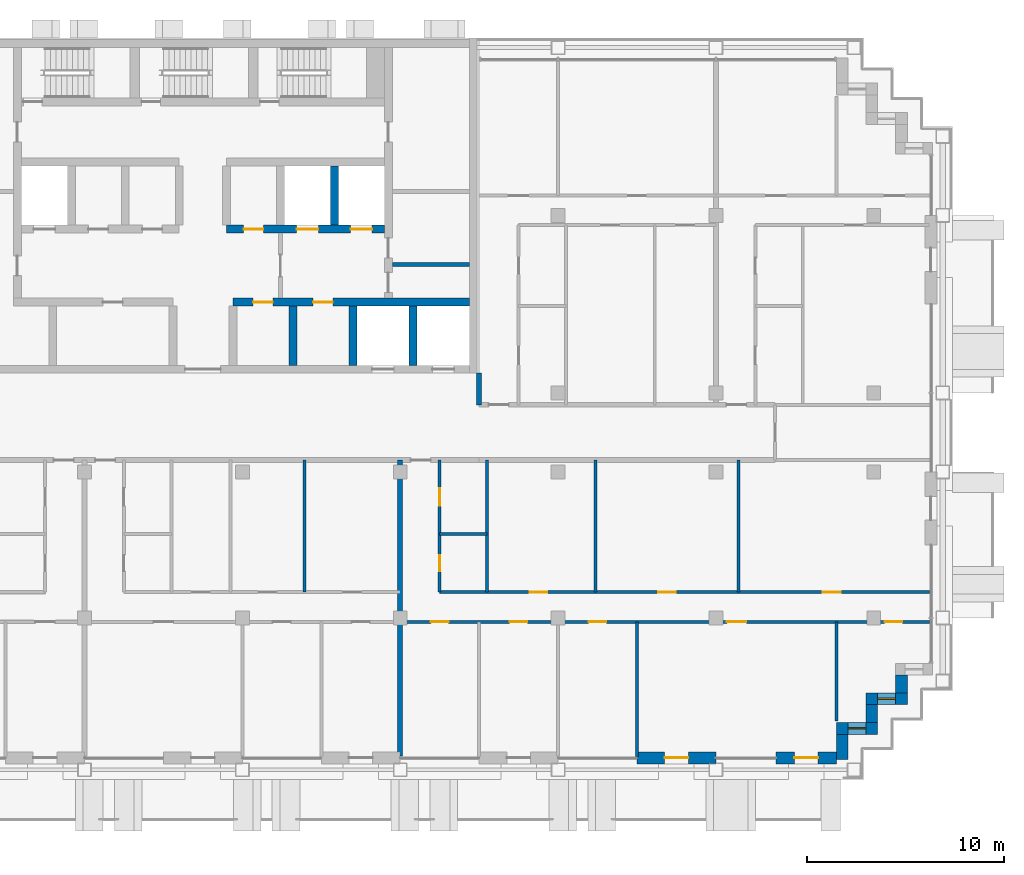
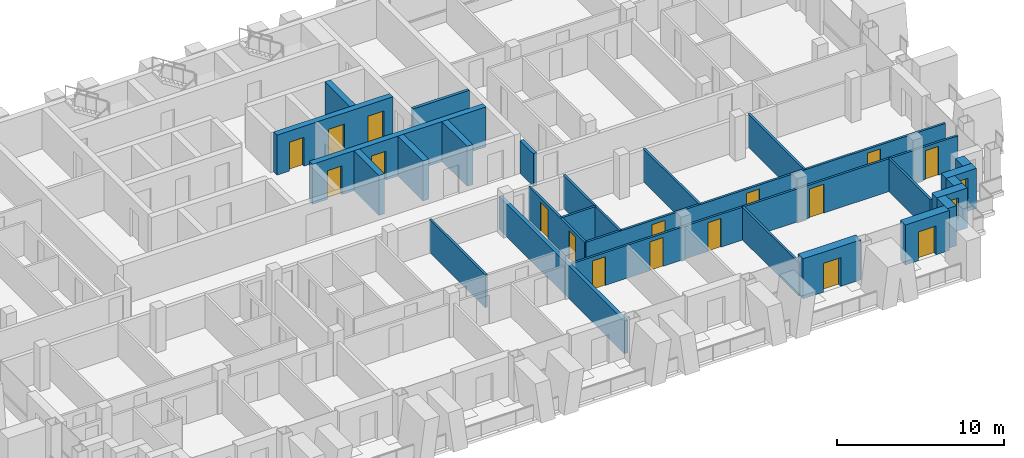
# One storey, part 10 of 16: 26 walls, 17 doors, 2 windows, 19 openings.
"""IFC4 building model written with IfcOpenShell, lengths in metres."""

from ifc_helpers import new_model, si_unit, direction, frame, frame_2d, origin, place, context, subcontext, project, spatial, rectangle, extrude, material, layer, layer_set, type_object, element, fill, save


model = new_model("IFC4")

# Units and contexts
model_context = context("Model", 3, precision=1e-05, world=origin(), true_north=direction((0.0, 1.0)))
body_context = subcontext(model_context, "Body", "Model", "MODEL_VIEW")
ifc_project = project(units=[si_unit("LENGTHUNIT", "METRE"), si_unit("AREAUNIT", "SQUARE_METRE"), si_unit("VOLUMEUNIT", "CUBIC_METRE"), si_unit("PLANEANGLEUNIT", "RADIAN"), si_unit("MASSUNIT", "GRAM", prefix="KILO")], contexts=[model_context])

# Site, building, storey
site_placement = place(None, origin())
site = spatial("IfcSite", under=ifc_project, at=site_placement, CompositionType="ELEMENT")
building_placement = place(site_placement, origin())
building = spatial("IfcBuilding", under=site, at=building_placement, Name="Vidyagriha Tower", CompositionType="ELEMENT")
storey_placement = place(building_placement, frame((0.0, 0.0, 171.699951171875)))
storey = spatial("IfcBuildingStorey", under=building, at=storey_placement, Name="L44", CompositionType="ELEMENT", Elevation=171.699951171875)

# Wall, opening, door
ifc_material_1 = material(Name="Precast concrete C40/50 with brick facing", Category="concrete")
ifc_layer_1 = layer(ifc_material_1, 0.60009765625)
ifc_layer_set_1 = layer_set([ifc_layer_1], Name="Precast concrete C40/50 with brick facing")
wall_type_1 = type_object("IfcWallType", Name="Brick-faced precast wall 600", PredefinedType="STANDARD", material=ifc_layer_set_1)
wall_1_placement = place(storey_placement, frame((22.0, -16.5, 0.0)))
wall_1 = element("IfcWall", 1, at=wall_1_placement, inside=storey, type_object=wall_type_1, Name="Brick door bay wall L44 R23.12", PredefinedType="STANDARD", context=body_context, shape_type="SweptSolid", body=[
    extrude(rectangle(XDim=4.0, YDim=0.60009765625, at=frame_2d((2.0, 0.0))), origin(), (0.0, 0.0, 1.0), 2.920166015625),
])
opening_1_placement = place(wall_1_placement, frame((1.39990234375, 0.0, 0.0)))
opening_1 = element("IfcOpeningElement", 2, at=opening_1_placement, cuts=wall_1, Name="Opening D44-75", PredefinedType="OPENING", context=body_context, shape_type="SweptSolid", body=[
    extrude(rectangle(XDim=1.199951171875, YDim=2.10009765625, at=frame_2d((0.60009765625, 1.050048828125))), frame((0.0, 0.31005859375, 0.0), z_axis=(0.0, -1.0, 0.0), x_axis=(1.0, 0.0, 0.0)), (0.0, 0.0, 1.0), 0.6201171875),
])
ifc_material_2 = material(Name="Aluminium framed glazed sliding door", Category="aluminium")
door_type_1 = type_object("IfcDoorType", Name="Balcony sliding door 1200x2100", OperationType="NOTDEFINED", PredefinedType="DOOR", material=ifc_material_2)
door_1_placement = place(opening_1_placement, origin())
door_1 = element("IfcDoor", 3, at=door_1_placement, inside=storey, type_object=door_type_1, Name="Door D44-75", OperationType="SLIDING_TO_LEFT", OverallHeight=2.10009765625, OverallWidth=1.199951171875, PredefinedType="DOOR", context=body_context, shape_type="SweptSolid", body=[
    extrude(rectangle(XDim=1.199951171875, YDim=2.10009765625, at=frame_2d((0.60009765625, 1.050048828125))), frame((0.0, 0.02490234375, 0.0), z_axis=(0.0, -1.0, 0.0), x_axis=(1.0, 0.0, 0.0)), (0.0, 0.0, 1.0), 0.050048828125),
])
fill(opening_1, door_1)

wall_2_placement = place(storey_placement, frame((29.050048828125, -16.5, 0.0)))
wall_2 = element("IfcWall", 4, at=wall_2_placement, inside=storey, type_object=wall_type_1, Name="Brick door bay wall L44 R23.14", PredefinedType="STANDARD", context=body_context, shape_type="SweptSolid", body=[
    extrude(rectangle(XDim=3.050048828125, YDim=0.60009765625, at=frame_2d((1.52490234375, 0.0))), origin(), (0.0, 0.0, 1.0), 2.920166015625),
])
opening_2_placement = place(wall_2_placement, frame((0.925048828125, 0.0, 0.0)))
opening_2 = element("IfcOpeningElement", 5, at=opening_2_placement, cuts=wall_2, Name="Opening D44-76", PredefinedType="OPENING", context=body_context, shape_type="SweptSolid", body=[
    extrude(rectangle(XDim=1.199951171875, YDim=2.10009765625, at=frame_2d((0.60009765625, 1.050048828125))), frame((0.0, 0.31005859375, 0.0), z_axis=(0.0, -1.0, 0.0), x_axis=(1.0, 0.0, 0.0)), (0.0, 0.0, 1.0), 0.6201171875),
])
door_2_placement = place(opening_2_placement, origin())
door_2 = element("IfcDoor", 6, at=door_2_placement, inside=storey, type_object=door_type_1, Name="Door D44-76", OperationType="SLIDING_TO_LEFT", OverallHeight=2.10009765625, OverallWidth=1.199951171875, PredefinedType="DOOR", context=body_context, shape_type="SweptSolid", body=[
    extrude(rectangle(XDim=1.199951171875, YDim=2.10009765625, at=frame_2d((0.60009765625, 1.050048828125))), frame((0.0, 0.02490234375, 0.0), z_axis=(0.0, -1.0, 0.0), x_axis=(1.0, 0.0, 0.0)), (0.0, 0.0, 1.0), 0.050048828125),
])
fill(opening_2, door_2)

# Wall
wall_3_placement = place(storey_placement, frame((32.39990234375, -16.580078125, 0.0), z_axis=(0.0, 0.0, 1.0), x_axis=(0.0, 1.0, 0.0)))
element("IfcWall", 7, at=wall_3_placement, inside=storey, type_object=wall_type_1, Name="Stepped corner wall L44 R24", PredefinedType="STANDARD", context=body_context, shape_type="SweptSolid", body=[
    extrude(rectangle(XDim=1.280029296875, YDim=0.60009765625, at=frame_2d((0.64013671875, 0.0))), origin(), (0.0, 0.0, 1.0), 2.920166015625),
])

# Wall, opening, window
wall_4_placement = place(storey_placement, frame((32.10009765625, -15.0, 0.0)))
wall_4 = element("IfcWall", 8, at=wall_4_placement, inside=storey, type_object=wall_type_1, Name="Stepped corner wall L44 R25", PredefinedType="STANDARD", context=body_context, shape_type="SweptSolid", body=[
    extrude(rectangle(XDim=2.099853515625, YDim=0.60009765625, at=frame_2d((1.0498046875, 0.0))), origin(), (0.0, 0.0, 1.0), 2.920166015625),
])
opening_3_placement = place(wall_4_placement, frame((0.60009765625, 0.0, 0.89990234375)))
opening_3 = element("IfcOpeningElement", 9, at=opening_3_placement, cuts=wall_4, Name="Opening WN1", PredefinedType="OPENING", context=body_context, shape_type="SweptSolid", body=[
    extrude(rectangle(XDim=0.89990234375, YDim=1.5, at=frame_2d((0.449951171875, 0.75))), frame((0.0, 0.31005859375, 0.0), z_axis=(0.0, -1.0, 0.0), x_axis=(1.0, 0.0, 0.0)), (0.0, 0.0, 1.0), 0.6201171875),
])
ifc_material_3 = material(Name="Aluminium and glass window", Category="aluminium")
window_type = type_object("IfcWindowType", Name="Reveal window 900x1500", PartitioningType="NOTDEFINED", PredefinedType="WINDOW", material=ifc_material_3)
window_1_placement = place(opening_3_placement, origin())
window_1 = element("IfcWindow", 10, at=window_1_placement, inside=storey, type_object=window_type, Name="Reveal window L44 R25", OverallHeight=1.5, OverallWidth=0.89990234375, PartitioningType="SINGLE_PANEL", PredefinedType="WINDOW", context=body_context, shape_type="SweptSolid", body=[
    extrude(rectangle(XDim=0.89990234375, YDim=1.5, at=frame_2d((0.449951171875, 0.75))), frame((0.0, 0.030029296875, 0.0), z_axis=(0.0, -1.0, 0.0), x_axis=(1.0, 0.0, 0.0)), (0.0, 0.0, 1.0), 0.06005859375),
])
fill(opening_3, window_1)

# Wall
wall_5_placement = place(storey_placement, frame((33.89990234375, -14.699951171875, 0.0), z_axis=(0.0, 0.0, 1.0), x_axis=(0.0, 1.0, 0.0)))
element("IfcWall", 11, at=wall_5_placement, inside=storey, type_object=wall_type_1, Name="Stepped corner wall L44 R26", PredefinedType="STANDARD", context=body_context, shape_type="SweptSolid", body=[
    extrude(rectangle(XDim=0.89990234375, YDim=0.60009765625, at=frame_2d((0.449951171875, 0.0))), origin(), (0.0, 0.0, 1.0), 2.920166015625),
])

# Wall, opening, window
wall_6_placement = place(storey_placement, frame((33.60009765625, -13.5, 0.0)))
wall_6 = element("IfcWall", 12, at=wall_6_placement, inside=storey, type_object=wall_type_1, Name="Stepped corner wall L44 R27", PredefinedType="STANDARD", context=body_context, shape_type="SweptSolid", body=[
    extrude(rectangle(XDim=2.099853515625, YDim=0.60009765625, at=frame_2d((1.0498046875, 0.0))), origin(), (0.0, 0.0, 1.0), 2.920166015625),
])
opening_4_placement = place(wall_6_placement, frame((0.60009765625, 0.0, 0.89990234375)))
opening_4 = element("IfcOpeningElement", 13, at=opening_4_placement, cuts=wall_6, Name="Opening WN1", PredefinedType="OPENING", context=body_context, shape_type="SweptSolid", body=[
    extrude(rectangle(XDim=0.89990234375, YDim=1.5, at=frame_2d((0.449951171875, 0.75))), frame((0.0, 0.31005859375, 0.0), z_axis=(0.0, -1.0, 0.0), x_axis=(1.0, 0.0, 0.0)), (0.0, 0.0, 1.0), 0.6201171875),
])
window_2_placement = place(opening_4_placement, origin())
window_2 = element("IfcWindow", 14, at=window_2_placement, inside=storey, type_object=window_type, Name="Reveal window L44 R27", OverallHeight=1.5, OverallWidth=0.89990234375, PartitioningType="SINGLE_PANEL", PredefinedType="WINDOW", context=body_context, shape_type="SweptSolid", body=[
    extrude(rectangle(XDim=0.89990234375, YDim=1.5, at=frame_2d((0.449951171875, 0.75))), frame((0.0, 0.030029296875, 0.0), z_axis=(0.0, -1.0, 0.0), x_axis=(1.0, 0.0, 0.0)), (0.0, 0.0, 1.0), 0.06005859375),
])
fill(opening_4, window_2)

# Wall
wall_7_placement = place(storey_placement, frame((35.39990234375, -13.199951171875, 0.0), z_axis=(0.0, 0.0, 1.0), x_axis=(0.0, 1.0, 0.0)))
element("IfcWall", 15, at=wall_7_placement, inside=storey, type_object=wall_type_1, Name="Stepped corner wall L44 R28", PredefinedType="STANDARD", context=body_context, shape_type="SweptSolid", body=[
    extrude(rectangle(XDim=0.89990234375, YDim=0.60009765625, at=frame_2d((0.449951171875, 0.0))), origin(), (0.0, 0.0, 1.0), 2.920166015625),
])

# Wall, openings, doors
ifc_material_4 = material(Name="Concrete C60/75", Category="concrete")
ifc_layer_2 = layer(ifc_material_4, 0.39990234375)
ifc_layer_set_2 = layer_set([ifc_layer_2], Name="Concrete C60/75")
wall_type_2 = type_object("IfcWallType", Name="Core shear wall 400 mm", PredefinedType="SHEAR", material=ifc_layer_set_2)
wall_8_placement = place(storey_placement, frame((1.522216796875, 6.60009765625, 0.0)))
wall_8 = element("IfcWall", 16, at=wall_8_placement, inside=storey, type_object=wall_type_2, Name="Core lobby south wall east", PredefinedType="SHEAR", context=body_context, shape_type="SweptSolid", body=[
    extrude(rectangle(XDim=11.977783203125, YDim=0.39990234375, at=frame_2d((5.98876953125, 0.0))), origin(), (0.0, 0.0, 1.0), 2.920166015625),
])
opening_5_placement = place(wall_8_placement, frame((1.022216796875, 0.0, 0.0)))
opening_5 = element("IfcOpeningElement", 17, at=opening_5_placement, cuts=wall_8, Name="Opening D44-03", PredefinedType="OPENING", context=body_context, shape_type="SweptSolid", body=[
    extrude(rectangle(XDim=1.0, YDim=2.10009765625, at=frame_2d((0.5, 1.050048828125))), frame((0.0, 0.2099609375, 0.0), z_axis=(0.0, -1.0, 0.0), x_axis=(1.0, 0.0, 0.0)), (0.0, 0.0, 1.0), 0.419921875),
])
opening_6_placement = place(wall_8_placement, frame((4.066650390625, 0.0, 0.0)))
opening_6 = element("IfcOpeningElement", 18, at=opening_6_placement, cuts=wall_8, Name="Opening D44-04", PredefinedType="OPENING", context=body_context, shape_type="SweptSolid", body=[
    extrude(rectangle(XDim=1.0, YDim=2.10009765625, at=frame_2d((0.5, 1.050048828125))), frame((0.0, 0.2099609375, 0.0), z_axis=(0.0, -1.0, 0.0), x_axis=(1.0, 0.0, 0.0)), (0.0, 0.0, 1.0), 0.419921875),
])
ifc_material_5 = material(Name="Hollow metal door leaf")
door_type_2 = type_object("IfcDoorType", Name="Core room door 1000 x 2100 mm EI 60", OperationType="NOTDEFINED", PredefinedType="DOOR", material=ifc_material_5)
door_3_placement = place(opening_5_placement, origin())
door_3 = element("IfcDoor", 19, at=door_3_placement, inside=storey, type_object=door_type_2, Name="Door Cleaners Store 44.02", OperationType="SINGLE_SWING_RIGHT", OverallHeight=2.10009765625, OverallWidth=1.0, PredefinedType="DOOR", context=body_context, shape_type="SweptSolid", body=[
    extrude(rectangle(XDim=1.0, YDim=2.10009765625, at=frame_2d((0.5, 1.050048828125))), frame((0.0, 0.02490234375, 0.0), z_axis=(0.0, -1.0, 0.0), x_axis=(1.0, 0.0, 0.0)), (0.0, 0.0, 1.0), 0.050048828125),
])
fill(opening_5, door_3)
door_4_placement = place(opening_6_placement, origin())
door_4 = element("IfcDoor", 20, at=door_4_placement, inside=storey, type_object=door_type_2, Name="Door Refuse Room 44.03", OperationType="SINGLE_SWING_RIGHT", OverallHeight=2.10009765625, OverallWidth=1.0, PredefinedType="DOOR", context=body_context, shape_type="SweptSolid", body=[
    extrude(rectangle(XDim=1.0, YDim=2.10009765625, at=frame_2d((0.5, 1.050048828125))), frame((0.0, 0.02490234375, 0.0), z_axis=(0.0, -1.0, 0.0), x_axis=(1.0, 0.0, 0.0)), (0.0, 0.0, 1.0), 0.050048828125),
])
fill(opening_6, door_4)

# Walls
for number, where, z_axis, x_axis, name in (
    (21, (4.566650390625, 3.39990234375, 0.0), (0.0, 0.0, 1.0), (0.0, 1.0, 0.0), "Core bay wall S6"),
    (22, (7.611083984375, 3.39990234375, 0.0), (0.0, 0.0, 1.0), (0.0, 1.0, 0.0), "Core bay wall S7"),
    (23, (10.655517578125, 3.39990234375, 0.0), (0.0, 0.0, 1.0), (0.0, 1.0, 0.0), "Core bay wall S8"),
):
    element("IfcWall", number, at=place(storey_placement, frame(where, z_axis=z_axis, x_axis=x_axis)), inside=storey, type_object=wall_type_2, Name=name, PredefinedType="SHEAR", context=body_context, shape_type="SweptSolid", body=[
        extrude(rectangle(XDim=3.0, YDim=0.39990234375, at=frame_2d((1.5, 0.0))), origin(), (0.0, 0.0, 1.0), 2.920166015625),
    ])

# Wall, openings, doors
wall_9_placement = place(storey_placement, frame((1.199951171875, 10.300048828125, 0.0)))
wall_9 = element("IfcWall", 24, at=wall_9_placement, inside=storey, type_object=wall_type_2, Name="Core row N front wall", PredefinedType="SHEAR", context=body_context, shape_type="SweptSolid", body=[
    extrude(rectangle(XDim=8.0, YDim=0.39990234375, at=frame_2d((4.0, 0.0))), origin(), (0.0, 0.0, 1.0), 2.920166015625),
])
opening_7_placement = place(wall_9_placement, frame((3.550048828125, 0.0, 0.0)))
opening_7 = element("IfcOpeningElement", 25, at=opening_7_placement, cuts=wall_9, Name="Opening LD44-04", PredefinedType="OPENING", context=body_context, shape_type="SweptSolid", body=[
    extrude(rectangle(XDim=1.10009765625, YDim=2.10009765625, at=frame_2d((0.550048828125, 1.050048828125))), frame((0.0, 0.2099609375, 0.0), z_axis=(0.0, -1.0, 0.0), x_axis=(1.0, 0.0, 0.0)), (0.0, 0.0, 1.0), 0.419921875),
])
opening_8_placement = place(wall_9_placement, frame((6.283203125, 0.0, 0.0)))
opening_8 = element("IfcOpeningElement", 26, at=opening_8_placement, cuts=wall_9, Name="Opening LD44-05", PredefinedType="OPENING", context=body_context, shape_type="SweptSolid", body=[
    extrude(rectangle(XDim=1.10009765625, YDim=2.10009765625, at=frame_2d((0.550048828125, 1.050048828125))), frame((0.0, 0.2099609375, 0.0), z_axis=(0.0, -1.0, 0.0), x_axis=(1.0, 0.0, 0.0)), (0.0, 0.0, 1.0), 0.419921875),
])
opening_9_placement = place(wall_9_placement, frame((0.86669921875, 0.0, 0.0)))
opening_9 = element("IfcOpeningElement", 27, at=opening_9_placement, cuts=wall_9, Name="Opening D44-07", PredefinedType="OPENING", context=body_context, shape_type="SweptSolid", body=[
    extrude(rectangle(XDim=1.0, YDim=2.10009765625, at=frame_2d((0.5, 1.050048828125))), frame((0.0, 0.2099609375, 0.0), z_axis=(0.0, -1.0, 0.0), x_axis=(1.0, 0.0, 0.0)), (0.0, 0.0, 1.0), 0.419921875),
])
door_5_placement = place(opening_9_placement, frame((1.0, 0.0, 0.0), z_axis=(0.0, 0.0, 1.0), x_axis=(-1.0, 0.0, 0.0)))
door_5 = element("IfcDoor", 28, at=door_5_placement, inside=storey, type_object=door_type_2, Name="Door Cleaners Store 44.16", OperationType="SINGLE_SWING_LEFT", OverallHeight=2.10009765625, OverallWidth=1.0, PredefinedType="DOOR", context=body_context, shape_type="SweptSolid", body=[
    extrude(rectangle(XDim=1.0, YDim=2.10009765625, at=frame_2d((0.5, 1.050048828125))), frame((0.0, 0.02490234375, 0.0), z_axis=(0.0, -1.0, 0.0), x_axis=(1.0, 0.0, 0.0)), (0.0, 0.0, 1.0), 0.050048828125),
])
fill(opening_9, door_5)
ifc_material_6 = material(Name="Stainless steel sliding door panel", Category="steel")
door_type_3 = type_object("IfcDoorType", Name="Lift landing door 1100 x 2100 mm EI 90", OperationType="NOTDEFINED", PredefinedType="DOOR", material=ifc_material_6)
door_6_placement = place(opening_7_placement, origin())
door_6 = element("IfcDoor", 29, at=door_6_placement, inside=storey, type_object=door_type_3, Name="Landing door FF1 L44", OperationType="SLIDING_TO_LEFT", OverallHeight=2.10009765625, OverallWidth=1.10009765625, PredefinedType="DOOR", context=body_context, shape_type="SweptSolid", body=[
    extrude(rectangle(XDim=1.10009765625, YDim=2.10009765625, at=frame_2d((0.550048828125, 1.050048828125))), frame((0.0, 0.02490234375, 0.0), z_axis=(0.0, -1.0, 0.0), x_axis=(1.0, 0.0, 0.0)), (0.0, 0.0, 1.0), 0.050048828125),
])
fill(opening_7, door_6)
door_7_placement = place(opening_8_placement, origin())
door_7 = element("IfcDoor", 30, at=door_7_placement, inside=storey, type_object=door_type_3, Name="Landing door FF2 L44", OperationType="SLIDING_TO_LEFT", OverallHeight=2.10009765625, OverallWidth=1.10009765625, PredefinedType="DOOR", context=body_context, shape_type="SweptSolid", body=[
    extrude(rectangle(XDim=1.10009765625, YDim=2.10009765625, at=frame_2d((0.550048828125, 1.050048828125))), frame((0.0, 0.02490234375, 0.0), z_axis=(0.0, -1.0, 0.0), x_axis=(1.0, 0.0, 0.0)), (0.0, 0.0, 1.0), 0.050048828125),
])
fill(opening_8, door_7)

# Walls
wall_10_placement = place(storey_placement, frame((6.666748046875, 10.5, 0.0), z_axis=(0.0, 0.0, 1.0), x_axis=(0.0, 1.0, 0.0)))
element("IfcWall", 31, at=wall_10_placement, inside=storey, type_object=wall_type_2, Name="Core bay wall N6", PredefinedType="SHEAR", context=body_context, shape_type="SweptSolid", body=[
    extrude(rectangle(XDim=3.0, YDim=0.39990234375, at=frame_2d((1.5, 0.0))), origin(), (0.0, 0.0, 1.0), 2.920166015625),
])
ifc_material_7 = material(Name="Fired clay brick masonry", Category="masonry")
ifc_layer_3 = layer(ifc_material_7, 0.25)
ifc_layer_set_3 = layer_set([ifc_layer_3], Name="Fired clay brick masonry")
wall_type_3 = type_object("IfcWallType", Name="Fired clay brick corridor wall 250", PredefinedType="PARTITIONING", material=ifc_layer_set_3)
wall_11_placement = place(storey_placement, frame((14.0, 1.39990234375, 0.0), z_axis=(0.0, 0.0, 1.0), x_axis=(0.0, 1.0, 0.0)))
element("IfcWall", 32, at=wall_11_placement, inside=storey, type_object=wall_type_3, Name="Wall all-L44-w115", PredefinedType="PARTITIONING", context=body_context, shape_type="SweptSolid", body=[
    extrude(rectangle(XDim=1.60009765625, YDim=0.25, at=frame_2d((0.800048828125, 0.0))), origin(), (0.0, 0.0, 1.0), 2.400146484375),
])
ifc_material_8 = material(Name="Fired clay brick masonry", Category="masonry")
ifc_layer_4 = layer(ifc_material_8, 0.25)
ifc_layer_set_4 = layer_set([ifc_layer_4], Name="Fired clay brick masonry")
wall_type_4 = type_object("IfcWallType", Name="Fired clay brick demising wall 250", PredefinedType="PARTITIONING", material=ifc_layer_set_4)
wall_12_placement = place(storey_placement, frame((10.0, -1.39990234375, 0.0), z_axis=(0.0, 0.0, 1.0), x_axis=(0.0, -1.0, 0.0)))
element("IfcWall", 33, at=wall_12_placement, inside=storey, type_object=wall_type_4, Name="Wall all-L44-w065", PredefinedType="PARTITIONING", context=body_context, shape_type="SweptSolid", body=[
    extrude(rectangle(XDim=15.010009765625, YDim=0.25, at=frame_2d((7.5048828125, 0.0))), origin(), (0.0, 0.0, 1.0), 2.400146484375),
])
ifc_material_9 = material(Name="Gypsum board partition")
ifc_layer_5 = layer(ifc_material_9, 0.14990234375)
ifc_layer_set_5 = layer_set([ifc_layer_5], Name="Gypsum board partition")
wall_type_5 = type_object("IfcWallType", Name="Gypsum board partition 150", PredefinedType="PARTITIONING", material=ifc_layer_set_5)
wall_13_placement = place(storey_placement, frame((5.14990234375, -1.39990234375, 0.0), z_axis=(0.0, 0.0, 1.0), x_axis=(0.0, -1.0, 0.0)))
element("IfcWall", 34, at=wall_13_placement, inside=storey, type_object=wall_type_5, Name="Wall all-L44-w030", PredefinedType="PARTITIONING", context=body_context, shape_type="SweptSolid", body=[
    extrude(rectangle(XDim=6.7001953125, YDim=0.14990234375, at=frame_2d((3.35009765625, 0.0))), origin(), (0.0, 0.0, 1.0), 2.400146484375),
])
wall_14_placement = place(storey_placement, frame((14.39990234375, -5.14990234375, 0.0), z_axis=(0.0, 0.0, 1.0), x_axis=(-1.0, 0.0, 0.0)))
element("IfcWall", 35, at=wall_14_placement, inside=storey, type_object=wall_type_5, Name="Wall all-L44-w046", PredefinedType="PARTITIONING", context=body_context, shape_type="SweptSolid", body=[
    extrude(rectangle(XDim=2.39990234375, YDim=0.14990234375, at=frame_2d((1.199951171875, 0.0))), origin(), (0.0, 0.0, 1.0), 2.400146484375),
])
for number, where, z_axis, x_axis, name in (
    (36, (14.39990234375, -1.39990234375, 0.0), (0.0, 0.0, 1.0), (0.0, -1.0, 0.0), "Wall all-L44-w047"),
    (37, (19.89990234375, -1.39990234375, 0.0), (0.0, 0.0, 1.0), (0.0, -1.0, 0.0), "Wall all-L44-w048"),
    (38, (27.14990234375, -1.39990234375, 0.0), (0.0, 0.0, 1.0), (0.0, -1.0, 0.0), "Wall all-L44-w049"),
):
    element("IfcWall", number, at=place(storey_placement, frame(where, z_axis=z_axis, x_axis=x_axis)), inside=storey, type_object=wall_type_5, Name=name, PredefinedType="PARTITIONING", context=body_context, shape_type="SweptSolid", body=[
        extrude(rectangle(XDim=6.7001953125, YDim=0.14990234375, at=frame_2d((3.35009765625, 0.0))), origin(), (0.0, 0.0, 1.0), 2.400146484375),
    ])

# Wall, openings, doors
wall_15_placement = place(storey_placement, frame((12.0, -8.10009765625, 0.0)))
wall_15 = element("IfcWall", 39, at=wall_15_placement, inside=storey, type_object=wall_type_5, Name="Wall all-L44-w050", PredefinedType="PARTITIONING", context=body_context, shape_type="SweptSolid", body=[
    extrude(rectangle(XDim=24.820068359375, YDim=0.14990234375, at=frame_2d((12.41015625, 0.0))), origin(), (0.0, 0.0, 1.0), 2.400146484375),
])
opening_10_placement = place(wall_15_placement, frame((4.552978515625, 0.0, 0.0)))
opening_10 = element("IfcOpeningElement", 40, at=opening_10_placement, cuts=wall_15, Name="Opening D44-39", PredefinedType="OPENING", context=body_context, shape_type="SweptSolid", body=[
    extrude(rectangle(XDim=0.89990234375, YDim=2.10009765625, at=frame_2d((0.449951171875, 1.050048828125))), frame((0.0, 0.0849609375, 0.0), z_axis=(0.0, -1.0, 0.0), x_axis=(1.0, 0.0, 0.0)), (0.0, 0.0, 1.0), 0.169921875),
])
opening_11_placement = place(wall_15_placement, frame((11.074951171875, 0.0, 0.0)))
opening_11 = element("IfcOpeningElement", 41, at=opening_11_placement, cuts=wall_15, Name="Opening D44-40", PredefinedType="OPENING", context=body_context, shape_type="SweptSolid", body=[
    extrude(rectangle(XDim=0.89990234375, YDim=2.10009765625, at=frame_2d((0.449951171875, 1.050048828125))), frame((0.0, 0.0849609375, 0.0), z_axis=(0.0, -1.0, 0.0), x_axis=(1.0, 0.0, 0.0)), (0.0, 0.0, 1.0), 0.169921875),
])
opening_12_placement = place(wall_15_placement, frame((19.425048828125, 0.0, 0.0)))
opening_12 = element("IfcOpeningElement", 42, at=opening_12_placement, cuts=wall_15, Name="Opening D44-41", PredefinedType="OPENING", context=body_context, shape_type="SweptSolid", body=[
    extrude(rectangle(XDim=0.89990234375, YDim=2.10009765625, at=frame_2d((0.449951171875, 1.050048828125))), frame((0.0, 0.0849609375, 0.0), z_axis=(0.0, -1.0, 0.0), x_axis=(1.0, 0.0, 0.0)), (0.0, 0.0, 1.0), 0.169921875),
])
ifc_material_10 = material(Name="Timber door leaf", Category="wood")
door_type_4 = type_object("IfcDoorType", Name="Room door 900x2100", OperationType="NOTDEFINED", PredefinedType="DOOR", material=ifc_material_10)
door_8_placement = place(opening_10_placement, origin())
door_8 = element("IfcDoor", 43, at=door_8_placement, inside=storey, type_object=door_type_4, Name="Door D44-39", OperationType="SINGLE_SWING_LEFT", OverallHeight=2.10009765625, OverallWidth=0.89990234375, PredefinedType="DOOR", context=body_context, shape_type="SweptSolid", body=[
    extrude(rectangle(XDim=0.89990234375, YDim=2.10009765625, at=frame_2d((0.449951171875, 1.050048828125))), frame((0.0, 0.02490234375, 0.0), z_axis=(0.0, -1.0, 0.0), x_axis=(1.0, 0.0, 0.0)), (0.0, 0.0, 1.0), 0.050048828125),
])
fill(opening_10, door_8)
door_9_placement = place(opening_11_placement, origin())
door_9 = element("IfcDoor", 44, at=door_9_placement, inside=storey, type_object=door_type_4, Name="Door D44-40", OperationType="SINGLE_SWING_RIGHT", OverallHeight=2.10009765625, OverallWidth=0.89990234375, PredefinedType="DOOR", context=body_context, shape_type="SweptSolid", body=[
    extrude(rectangle(XDim=0.89990234375, YDim=2.10009765625, at=frame_2d((0.449951171875, 1.050048828125))), frame((0.0, 0.02490234375, 0.0), z_axis=(0.0, -1.0, 0.0), x_axis=(1.0, 0.0, 0.0)), (0.0, 0.0, 1.0), 0.050048828125),
])
fill(opening_11, door_9)
door_10_placement = place(opening_12_placement, origin())
door_10 = element("IfcDoor", 45, at=door_10_placement, inside=storey, type_object=door_type_4, Name="Door D44-41", OperationType="SINGLE_SWING_RIGHT", OverallHeight=2.10009765625, OverallWidth=0.89990234375, PredefinedType="DOOR", context=body_context, shape_type="SweptSolid", body=[
    extrude(rectangle(XDim=0.89990234375, YDim=2.10009765625, at=frame_2d((0.449951171875, 1.050048828125))), frame((0.0, 0.02490234375, 0.0), z_axis=(0.0, -1.0, 0.0), x_axis=(1.0, 0.0, 0.0)), (0.0, 0.0, 1.0), 0.050048828125),
])
fill(opening_12, door_10)

wall_16_placement = place(storey_placement, frame((36.820068359375, -9.60009765625, 0.0), z_axis=(0.0, 0.0, 1.0), x_axis=(-1.0, 0.0, 0.0)))
wall_16 = element("IfcWall", 46, at=wall_16_placement, inside=storey, type_object=wall_type_5, Name="Wall all-L44-w054", PredefinedType="PARTITIONING", context=body_context, shape_type="SweptSolid", body=[
    extrude(rectangle(XDim=26.820068359375, YDim=0.14990234375, at=frame_2d((13.41015625, 0.0))), origin(), (0.0, 0.0, 1.0), 2.400146484375),
])
opening_13_placement = place(wall_16_placement, frame((24.3701171875, 0.0, 0.0)))
opening_13 = element("IfcOpeningElement", 47, at=opening_13_placement, cuts=wall_16, Name="Opening D44-42", PredefinedType="OPENING", context=body_context, shape_type="SweptSolid", body=[
    extrude(rectangle(XDim=0.89990234375, YDim=2.10009765625, at=frame_2d((0.449951171875, 1.050048828125))), frame((0.0, 0.0849609375, 0.0), z_axis=(0.0, -1.0, 0.0), x_axis=(1.0, 0.0, 0.0)), (0.0, 0.0, 1.0), 0.169921875),
])
opening_14_placement = place(wall_16_placement, frame((20.3701171875, 0.0, 0.0)))
opening_14 = element("IfcOpeningElement", 48, at=opening_14_placement, cuts=wall_16, Name="Opening D44-43", PredefinedType="OPENING", context=body_context, shape_type="SweptSolid", body=[
    extrude(rectangle(XDim=0.89990234375, YDim=2.10009765625, at=frame_2d((0.449951171875, 1.050048828125))), frame((0.0, 0.0849609375, 0.0), z_axis=(0.0, -1.0, 0.0), x_axis=(1.0, 0.0, 0.0)), (0.0, 0.0, 1.0), 0.169921875),
])
opening_15_placement = place(wall_16_placement, frame((16.3701171875, 0.0, 0.0)))
opening_15 = element("IfcOpeningElement", 49, at=opening_15_placement, cuts=wall_16, Name="Opening D44-44", PredefinedType="OPENING", context=body_context, shape_type="SweptSolid", body=[
    extrude(rectangle(XDim=0.89990234375, YDim=2.10009765625, at=frame_2d((0.449951171875, 1.050048828125))), frame((0.0, 0.0849609375, 0.0), z_axis=(0.0, -1.0, 0.0), x_axis=(1.0, 0.0, 0.0)), (0.0, 0.0, 1.0), 0.169921875),
])
opening_16_placement = place(wall_16_placement, frame((9.27001953125, 0.0, 0.0)))
opening_16 = element("IfcOpeningElement", 50, at=opening_16_placement, cuts=wall_16, Name="Opening D44-45", PredefinedType="OPENING", context=body_context, shape_type="SweptSolid", body=[
    extrude(rectangle(XDim=1.0, YDim=2.10009765625, at=frame_2d((0.5, 1.050048828125))), frame((0.0, 0.0849609375, 0.0), z_axis=(0.0, -1.0, 0.0), x_axis=(1.0, 0.0, 0.0)), (0.0, 0.0, 1.0), 0.169921875),
])
opening_17_placement = place(wall_16_placement, frame((1.373046875, 0.0, 0.0)))
opening_17 = element("IfcOpeningElement", 51, at=opening_17_placement, cuts=wall_16, Name="Opening D44-46", PredefinedType="OPENING", context=body_context, shape_type="SweptSolid", body=[
    extrude(rectangle(XDim=0.89990234375, YDim=2.10009765625, at=frame_2d((0.449951171875, 1.050048828125))), frame((0.0, 0.0849609375, 0.0), z_axis=(0.0, -1.0, 0.0), x_axis=(1.0, 0.0, 0.0)), (0.0, 0.0, 1.0), 0.169921875),
])
ifc_material_11 = material(Name="Timber door leaf", Category="wood")
door_type_5 = type_object("IfcDoorType", Name="Room door 1000x2100", OperationType="NOTDEFINED", PredefinedType="DOOR", material=ifc_material_11)
door_11_placement = place(opening_16_placement, origin())
door_11 = element("IfcDoor", 52, at=door_11_placement, inside=storey, type_object=door_type_5, Name="Door D44-45", OperationType="SINGLE_SWING_RIGHT", OverallHeight=2.10009765625, OverallWidth=1.0, PredefinedType="DOOR", context=body_context, shape_type="SweptSolid", body=[
    extrude(rectangle(XDim=1.0, YDim=2.10009765625, at=frame_2d((0.5, 1.050048828125))), frame((0.0, 0.02490234375, 0.0), z_axis=(0.0, -1.0, 0.0), x_axis=(1.0, 0.0, 0.0)), (0.0, 0.0, 1.0), 0.050048828125),
])
fill(opening_16, door_11)
door_12_placement = place(opening_13_placement, origin())
door_12 = element("IfcDoor", 53, at=door_12_placement, inside=storey, type_object=door_type_4, Name="Door D44-42", OperationType="SINGLE_SWING_RIGHT", OverallHeight=2.10009765625, OverallWidth=0.89990234375, PredefinedType="DOOR", context=body_context, shape_type="SweptSolid", body=[
    extrude(rectangle(XDim=0.89990234375, YDim=2.10009765625, at=frame_2d((0.449951171875, 1.050048828125))), frame((0.0, 0.02490234375, 0.0), z_axis=(0.0, -1.0, 0.0), x_axis=(1.0, 0.0, 0.0)), (0.0, 0.0, 1.0), 0.050048828125),
])
fill(opening_13, door_12)
door_13_placement = place(opening_14_placement, origin())
door_13 = element("IfcDoor", 54, at=door_13_placement, inside=storey, type_object=door_type_4, Name="Door D44-43", OperationType="SINGLE_SWING_RIGHT", OverallHeight=2.10009765625, OverallWidth=0.89990234375, PredefinedType="DOOR", context=body_context, shape_type="SweptSolid", body=[
    extrude(rectangle(XDim=0.89990234375, YDim=2.10009765625, at=frame_2d((0.449951171875, 1.050048828125))), frame((0.0, 0.02490234375, 0.0), z_axis=(0.0, -1.0, 0.0), x_axis=(1.0, 0.0, 0.0)), (0.0, 0.0, 1.0), 0.050048828125),
])
fill(opening_14, door_13)
door_14_placement = place(opening_15_placement, origin())
door_14 = element("IfcDoor", 55, at=door_14_placement, inside=storey, type_object=door_type_4, Name="Door D44-44", OperationType="SINGLE_SWING_RIGHT", OverallHeight=2.10009765625, OverallWidth=0.89990234375, PredefinedType="DOOR", context=body_context, shape_type="SweptSolid", body=[
    extrude(rectangle(XDim=0.89990234375, YDim=2.10009765625, at=frame_2d((0.449951171875, 1.050048828125))), frame((0.0, 0.02490234375, 0.0), z_axis=(0.0, -1.0, 0.0), x_axis=(1.0, 0.0, 0.0)), (0.0, 0.0, 1.0), 0.050048828125),
])
fill(opening_15, door_14)
door_15_placement = place(opening_17_placement, origin())
door_15 = element("IfcDoor", 56, at=door_15_placement, inside=storey, type_object=door_type_4, Name="Door D44-46", OperationType="SINGLE_SWING_LEFT", OverallHeight=2.10009765625, OverallWidth=0.89990234375, PredefinedType="DOOR", context=body_context, shape_type="SweptSolid", body=[
    extrude(rectangle(XDim=0.89990234375, YDim=2.10009765625, at=frame_2d((0.449951171875, 1.050048828125))), frame((0.0, 0.02490234375, 0.0), z_axis=(0.0, -1.0, 0.0), x_axis=(1.0, 0.0, 0.0)), (0.0, 0.0, 1.0), 0.050048828125),
])
fill(opening_17, door_15)

# Walls
wall_17_placement = place(storey_placement, frame((22.0, -9.60009765625, 0.0), z_axis=(0.0, 0.0, 1.0), x_axis=(0.0, -1.0, 0.0)))
element("IfcWall", 57, at=wall_17_placement, inside=storey, type_object=wall_type_5, Name="Wall all-L44-w062", PredefinedType="PARTITIONING", context=body_context, shape_type="SweptSolid", body=[
    extrude(rectangle(XDim=6.82080078125, YDim=0.14990234375, at=frame_2d((3.410400390625, 0.0))), origin(), (0.0, 0.0, 1.0), 2.400146484375),
])
wall_18_placement = place(storey_placement, frame((32.10009765625, -9.60009765625, 0.0), z_axis=(0.0, 0.0, 1.0), x_axis=(0.0, -1.0, 0.0)))
element("IfcWall", 58, at=wall_18_placement, inside=storey, type_object=wall_type_5, Name="Wall all-L44-w063", PredefinedType="PARTITIONING", context=body_context, shape_type="SweptSolid", body=[
    extrude(rectangle(XDim=5.02001953125, YDim=0.14990234375, at=frame_2d((2.510009765625, 0.0))), origin(), (0.0, 0.0, 1.0), 2.400146484375),
])

# Wall, openings, doors
ifc_material_12 = material(Name="Moisture resistant gypsum board partition")
ifc_layer_6 = layer(ifc_material_12, 0.14990234375)
ifc_layer_set_6 = layer_set([ifc_layer_6], Name="Moisture resistant gypsum board partition")
wall_type_6 = type_object("IfcWallType", Name="Gypsum board wet-area partition 150", PredefinedType="PARTITIONING", material=ifc_layer_set_6)
wall_19_placement = place(storey_placement, frame((12.0, -1.39990234375, 0.0), z_axis=(0.0, 0.0, 1.0), x_axis=(0.0, -1.0, 0.0)))
wall_19 = element("IfcWall", 59, at=wall_19_placement, inside=storey, type_object=wall_type_6, Name="Wall all-L44-w043", PredefinedType="PARTITIONING", context=body_context, shape_type="SweptSolid", body=[
    extrude(rectangle(XDim=6.7001953125, YDim=0.14990234375, at=frame_2d((3.35009765625, 0.0))), origin(), (0.0, 0.0, 1.0), 2.400146484375),
])
opening_18_placement = place(wall_19_placement, frame((1.425048828125, 0.0, 0.0)))
opening_18 = element("IfcOpeningElement", 60, at=opening_18_placement, cuts=wall_19, Name="Opening D44-37", PredefinedType="OPENING", context=body_context, shape_type="SweptSolid", body=[
    extrude(rectangle(XDim=0.89990234375, YDim=2.10009765625, at=frame_2d((0.449951171875, 1.050048828125))), frame((0.0, 0.0849609375, 0.0), z_axis=(0.0, -1.0, 0.0), x_axis=(1.0, 0.0, 0.0)), (0.0, 0.0, 1.0), 0.169921875),
])
opening_19_placement = place(wall_19_placement, frame((4.824951171875, 0.0, 0.0)))
opening_19 = element("IfcOpeningElement", 61, at=opening_19_placement, cuts=wall_19, Name="Opening D44-38", PredefinedType="OPENING", context=body_context, shape_type="SweptSolid", body=[
    extrude(rectangle(XDim=0.800048828125, YDim=2.10009765625, at=frame_2d((0.39990234375, 1.050048828125))), frame((0.0, 0.0849609375, 0.0), z_axis=(0.0, -1.0, 0.0), x_axis=(1.0, 0.0, 0.0)), (0.0, 0.0, 1.0), 0.169921875),
])
ifc_material_13 = material(Name="Timber door leaf", Category="wood")
door_type_6 = type_object("IfcDoorType", Name="Bathroom door 800x2100", OperationType="NOTDEFINED", PredefinedType="DOOR", material=ifc_material_13)
door_16_placement = place(opening_19_placement, origin())
door_16 = element("IfcDoor", 62, at=door_16_placement, inside=storey, type_object=door_type_6, Name="Door D44-38", OperationType="SINGLE_SWING_RIGHT", OverallHeight=2.10009765625, OverallWidth=0.800048828125, PredefinedType="DOOR", context=body_context, shape_type="SweptSolid", body=[
    extrude(rectangle(XDim=0.800048828125, YDim=2.10009765625, at=frame_2d((0.39990234375, 1.050048828125))), frame((0.0, 0.02490234375, 0.0), z_axis=(0.0, -1.0, 0.0), x_axis=(1.0, 0.0, 0.0)), (0.0, 0.0, 1.0), 0.050048828125),
])
fill(opening_19, door_16)
ifc_material_14 = material(Name="Timber door leaf", Category="wood")
door_type_7 = type_object("IfcDoorType", Name="Kitchen door 900x2100", OperationType="NOTDEFINED", PredefinedType="DOOR", material=ifc_material_14)
door_17_placement = place(opening_18_placement, origin())
door_17 = element("IfcDoor", 63, at=door_17_placement, inside=storey, type_object=door_type_7, Name="Door D44-37", OperationType="SINGLE_SWING_LEFT", OverallHeight=2.10009765625, OverallWidth=0.89990234375, PredefinedType="DOOR", context=body_context, shape_type="SweptSolid", body=[
    extrude(rectangle(XDim=0.89990234375, YDim=2.10009765625, at=frame_2d((0.449951171875, 1.050048828125))), frame((0.0, 0.02490234375, 0.0), z_axis=(0.0, -1.0, 0.0), x_axis=(1.0, 0.0, 0.0)), (0.0, 0.0, 1.0), 0.050048828125),
])
fill(opening_18, door_17)

# Wall
ifc_material_15 = material(Name="Blockwork 15 MPa", Category="masonry")
ifc_layer_7 = layer(ifc_material_15, 0.199951171875)
ifc_layer_set_7 = layer_set([ifc_layer_7], Name="Blockwork 15 MPa")
wall_type_7 = type_object("IfcWallType", Name="Service room partition 200 mm", PredefinedType="PARTITIONING", material=ifc_layer_set_7)
wall_20_placement = place(storey_placement, frame((9.60009765625, 8.5, 0.0)))
element("IfcWall", 64, at=wall_20_placement, inside=storey, type_object=wall_type_7, Name="Core room partition E1", PredefinedType="PARTITIONING", context=body_context, shape_type="SweptSolid", body=[
    extrude(rectangle(XDim=3.89990234375, YDim=0.199951171875, at=frame_2d((1.949951171875, 0.0))), origin(), (0.0, 0.0, 1.0), 2.920166015625),
])

save(model, "model.ifc")
